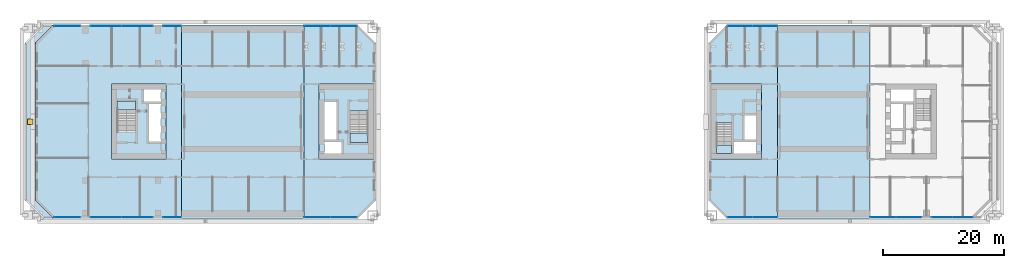
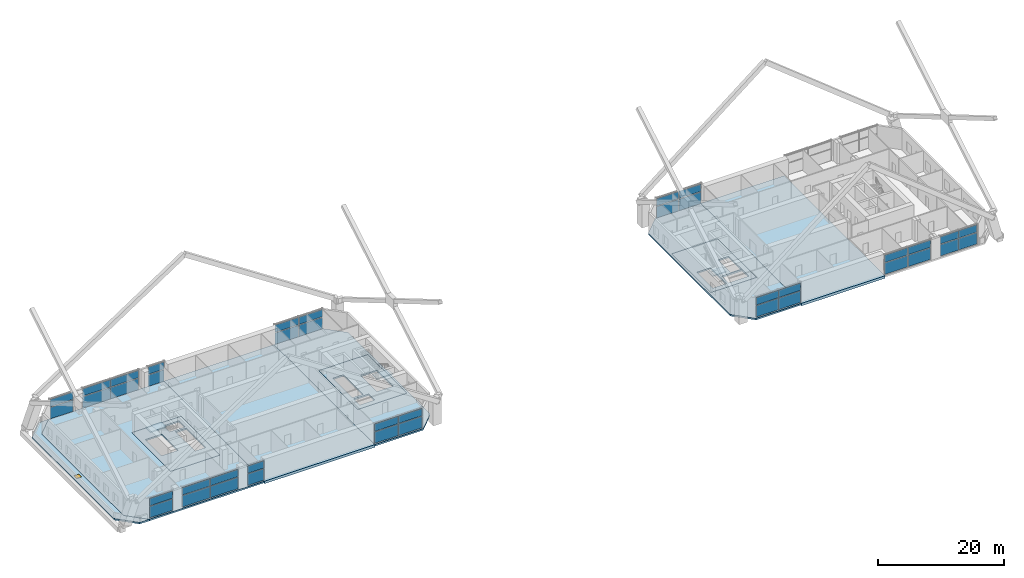
# One storey, part 15 of 25: 40 plates, 12 slabs, 1 window, 1 opening, 15 elements without a shape of their own.
"""IFC4 building model written with IfcOpenShell, lengths in metres."""

from ifc_helpers import new_model, si_unit, direction, frame, origin, origin_2d, place, context, subcontext, project, spatial, polyline, rectangle, outline, extrude, material, layer, layer_set, type_object, element, fill, aggregate, save


model = new_model("IFC4")

# Units and contexts
model_context = context("Model", 3, precision=1e-05, world=origin(), true_north=direction((0.0, 1.0)))
body_context = subcontext(model_context, "Body", "Model", "MODEL_VIEW")
ifc_project = project(units=[si_unit("LENGTHUNIT", "METRE"), si_unit("AREAUNIT", "SQUARE_METRE"), si_unit("VOLUMEUNIT", "CUBIC_METRE"), si_unit("PLANEANGLEUNIT", "RADIAN"), si_unit("MASSUNIT", "GRAM", prefix="KILO")], contexts=[model_context])

# Site, building, storey
site_placement = place(None, origin())
site = spatial("IfcSite", under=ifc_project, at=site_placement, CompositionType="ELEMENT")
building_placement = place(site_placement, origin())
building = spatial("IfcBuilding", under=site, at=building_placement, Name="Tuart Gate Housing", CompositionType="ELEMENT")
storey_placement = place(building_placement, frame((0.0, 0.0, 14.699951171875)))
storey = spatial("IfcBuildingStorey", under=building, at=storey_placement, Name="L03", CompositionType="ELEMENT", Elevation=14.699951171875)

# Slabs
ifc_material_1 = material(Name="Concrete C40", Category="concrete")
ifc_layer_1 = layer(ifc_material_1, 0.300048828125)
ifc_layer_set_1 = layer_set([ifc_layer_1], Name="Core floor slab 300")
slab_type_1 = type_object("IfcSlabType", Name="Core floor slab 300", PredefinedType="FLOOR", material=ifc_layer_set_1)
slab_1_placement = place(storey_placement, frame((0.0, 0.0, -0.300048828125)))
element("IfcSlab", 1, at=slab_1_placement, inside=storey, type_object=slab_type_1, Name="Core floor AG", PredefinedType="FLOOR", context=body_context, shape_type="SweptSolid", body=[
    extrude(outline(polyline([(66.639892578125, 63.800048828125), (75.639892578125, 63.800048828125), (75.639892578125, 76.199951171875), (66.639892578125, 76.199951171875), (66.639892578125, 63.800048828125)]), holes=[polyline([(67.5400390625, 64.699951171875), (70.31005859375, 64.699951171875), (70.31005859375, 66.64990234375), (67.5400390625, 66.64990234375), (67.5400390625, 64.699951171875)]), polyline([(67.5400390625, 67.050048828125), (69.489990234375, 67.050048828125), (69.489990234375, 73.25), (67.5400390625, 73.25), (67.5400390625, 67.050048828125)]), polyline([(71.739990234375, 66.550048828125), (74.739990234375, 66.550048828125), (74.739990234375, 71.72998046875), (71.739990234375, 71.72998046875), (71.739990234375, 66.550048828125)])]), origin(), (0.0, 0.0, 1.0), 0.300048828125),
])
slab_2_placement = place(storey_placement, frame((0.0, 0.0, -0.300048828125)))
element("IfcSlab", 2, at=slab_2_placement, inside=storey, type_object=slab_type_1, Name="Core floor AK", PredefinedType="FLOOR", context=body_context, shape_type="SweptSolid", body=[
    extrude(outline(polyline([(32.360107421875, 63.800048828125), (41.360107421875, 63.800048828125), (41.360107421875, 76.199951171875), (32.360107421875, 76.199951171875), (32.360107421875, 63.800048828125)]), holes=[polyline([(40.4599609375, 75.300048828125), (37.68994140625, 75.300048828125), (37.68994140625, 73.35009765625), (40.4599609375, 73.35009765625), (40.4599609375, 75.300048828125)]), polyline([(40.4599609375, 72.949951171875), (38.510009765625, 72.949951171875), (38.510009765625, 66.75), (40.4599609375, 66.75), (40.4599609375, 72.949951171875)]), polyline([(36.260009765625, 73.449951171875), (33.260009765625, 73.449951171875), (33.260009765625, 68.27001953125), (36.260009765625, 68.27001953125), (36.260009765625, 73.449951171875)])]), origin(), (0.0, 0.0, 1.0), 0.300048828125),
])
slab_3_placement = place(storey_placement, frame((0.0, 0.0, -0.300048828125)))
element("IfcSlab", 3, at=slab_3_placement, inside=storey, type_object=slab_type_1, Name="Core floor BG", PredefinedType="FLOOR", context=body_context, shape_type="SweptSolid", body=[
    extrude(outline(polyline([(131.360107421875, 63.800048828125), (139.760009765625, 63.800048828125), (139.760009765625, 76.199951171875), (131.360107421875, 76.199951171875), (131.360107421875, 63.800048828125)]), holes=[polyline([(138.860107421875, 66.85009765625), (135.159912109375, 66.85009765625), (135.159912109375, 64.699951171875), (138.860107421875, 64.699951171875), (138.860107421875, 66.85009765625)]), polyline([(138.860107421875, 71.050048828125), (136.909912109375, 71.050048828125), (136.909912109375, 67.050048828125), (138.860107421875, 67.050048828125), (138.860107421875, 71.050048828125)]), polyline([(134.760009765625, 69.780029296875), (132.260009765625, 69.780029296875), (132.260009765625, 64.699951171875), (134.760009765625, 64.699951171875), (134.760009765625, 69.780029296875)])]), origin(), (0.0, 0.0, 1.0), 0.300048828125),
])
ifc_material_2 = material(Name="Concrete C40", Category="concrete")
ifc_layer_2 = layer(ifc_material_2, 0.300048828125)
ifc_layer_set_2 = layer_set([ifc_layer_2], Name="Flat plate 300")
slab_type_2 = type_object("IfcSlabType", Name="Flat plate 300", PredefinedType="FLOOR", material=ifc_layer_set_2)
slab_4_placement = place(storey_placement, frame((0.0, 0.0, -0.300048828125)))
element("IfcSlab", 4, at=slab_4_placement, inside=storey, type_object=slab_type_2, Name="Floor slab A west of the arch L03", PredefinedType="FLOOR", context=body_context, shape_type="SweptSolid", body=[
    extrude(outline(polyline([(43.89990234375, 86.0), (22.75, 86.0), (19.75, 83.0), (19.75, 57.0), (22.75, 54.0), (43.89990234375, 54.0), (43.89990234375, 86.0)]), holes=[polyline([(32.360107421875, 76.199951171875), (41.360107421875, 76.199951171875), (41.360107421875, 63.800048828125), (32.360107421875, 63.800048828125), (32.360107421875, 76.199951171875)])]), origin(), (0.0, 0.0, 1.0), 0.300048828125),
])
slab_5_placement = place(storey_placement, frame((0.0, 0.0, -0.300048828125)))
element("IfcSlab", 5, at=slab_5_placement, inside=storey, type_object=slab_type_2, Name="Floor slab A east of the arch L03", PredefinedType="FLOOR", context=body_context, shape_type="SweptSolid", body=[
    extrude(outline(polyline([(73.0, 86.0), (64.10009765625, 86.0), (64.10009765625, 54.0), (73.0, 54.0), (76.0, 57.0), (76.0, 83.0), (73.0, 86.0)]), holes=[polyline([(66.639892578125, 63.800048828125), (66.639892578125, 76.199951171875), (75.639892578125, 76.199951171875), (75.639892578125, 63.800048828125), (66.639892578125, 63.800048828125)])]), origin(), (0.0, 0.0, 1.0), 0.300048828125),
])
slab_6_placement = place(storey_placement, frame((0.0, 0.0, -0.300048828125)))
element("IfcSlab", 6, at=slab_6_placement, inside=storey, type_object=slab_type_2, Name="Floor slab B west of the arch L03", PredefinedType="FLOOR", context=body_context, shape_type="SweptSolid", body=[
    extrude(outline(polyline([(142.35009765625, 86.0), (134.0, 86.0), (131.0, 83.0), (131.0, 57.0), (134.0, 54.0), (142.35009765625, 54.0), (142.35009765625, 86.0)]), holes=[polyline([(131.360107421875, 63.800048828125), (131.360107421875, 76.199951171875), (139.760009765625, 76.199951171875), (139.760009765625, 63.800048828125), (131.360107421875, 63.800048828125)])]), origin(), (0.0, 0.0, 1.0), 0.300048828125),
])

# Curtain wall, plates
ifc_material_3 = material(Name="Aluminium and clear glass", Category="aluminium")
curtain_wall_type = type_object("IfcCurtainWallType", Name="Community floor glazing", PredefinedType="USERDEFINED", material=ifc_material_3)
curtain_wall_1_placement = place(storey_placement, origin())
curtain_wall_1 = element("IfcCurtainWall", 7, at=curtain_wall_1_placement, inside=storey, type_object=curtain_wall_type, Name="Community floor glazing A-S L03", ObjectType="COMMUNITY FLOOR GLAZING", PredefinedType="USERDEFINED")
ifc_material_4 = material(Name="Clear glass", Category="glass")
ifc_layer_3 = layer(ifc_material_4, 0.028076171875)
ifc_layer_set_3 = layer_set([ifc_layer_3], Name="Glazed panel 28")
plate_type = type_object("IfcPlateType", Name="Glazed panel 28", PredefinedType="CURTAIN_PANEL", material=ifc_layer_set_3)
plate_1_placement = place(storey_placement, frame((25.01220703125, 54.179931640625, 0.1201171875), z_axis=(0.0, 0.0, 1.0), x_axis=(1.0, 0.0, 0.0)))
plate_1 = element("IfcPlate", 8, at=plate_1_placement, type_object=plate_type, Name="CW3 panel 1.1", PredefinedType="CURTAIN_PANEL", context=body_context, shape_type="SweptSolid", body=[
    extrude(rectangle(XDim=4.25537109375, YDim=0.028076171875, at=origin_2d()), origin(), (0.0, 0.0, 1.0), 2.219970703125),
])
plate_2_placement = place(storey_placement, frame((25.01220703125, 54.179931640625, 2.460205078125), z_axis=(0.0, 0.0, 1.0), x_axis=(1.0, 0.0, 0.0)))
plate_2 = element("IfcPlate", 9, at=plate_2_placement, type_object=plate_type, Name="CW3 panel 1.2", PredefinedType="CURTAIN_PANEL", context=body_context, shape_type="SweptSolid", body=[
    extrude(rectangle(XDim=4.25537109375, YDim=0.028076171875, at=origin_2d()), origin(), (0.0, 0.0, 1.0), 1.419921875),
])
aggregate(curtain_wall_1, [plate_1, plate_2])

curtain_wall_2_placement = place(storey_placement, origin())
curtain_wall_2 = element("IfcCurtainWall", 10, at=curtain_wall_2_placement, inside=storey, type_object=curtain_wall_type, Name="Community floor glazing A-S L03", ObjectType="COMMUNITY FLOOR GLAZING", PredefinedType="USERDEFINED")
plate_3_placement = place(storey_placement, frame((31.4150390625, 54.179931640625, 0.1201171875), z_axis=(0.0, 0.0, 1.0), x_axis=(1.0, 0.0, 0.0)))
plate_3 = element("IfcPlate", 11, at=plate_3_placement, type_object=plate_type, Name="CW3 panel 1.1", PredefinedType="CURTAIN_PANEL", context=body_context, shape_type="SweptSolid", body=[
    extrude(rectangle(XDim=5.110107421875, YDim=0.028076171875, at=origin_2d()), origin(), (0.0, 0.0, 1.0), 2.219970703125),
])
plate_4_placement = place(storey_placement, frame((31.4150390625, 54.179931640625, 2.460205078125), z_axis=(0.0, 0.0, 1.0), x_axis=(1.0, 0.0, 0.0)))
plate_4 = element("IfcPlate", 12, at=plate_4_placement, type_object=plate_type, Name="CW3 panel 1.2", PredefinedType="CURTAIN_PANEL", context=body_context, shape_type="SweptSolid", body=[
    extrude(rectangle(XDim=5.110107421875, YDim=0.028076171875, at=origin_2d()), origin(), (0.0, 0.0, 1.0), 1.419921875),
])
plate_5_placement = place(storey_placement, frame((36.5849609375, 54.179931640625, 0.1201171875), z_axis=(0.0, 0.0, 1.0), x_axis=(1.0, 0.0, 0.0)))
plate_5 = element("IfcPlate", 13, at=plate_5_placement, type_object=plate_type, Name="CW3 panel 2.1", PredefinedType="CURTAIN_PANEL", context=body_context, shape_type="SweptSolid", body=[
    extrude(rectangle(XDim=5.110107421875, YDim=0.028076171875, at=origin_2d()), origin(), (0.0, 0.0, 1.0), 2.219970703125),
])
plate_6_placement = place(storey_placement, frame((36.5849609375, 54.179931640625, 2.460205078125), z_axis=(0.0, 0.0, 1.0), x_axis=(1.0, 0.0, 0.0)))
plate_6 = element("IfcPlate", 14, at=plate_6_placement, type_object=plate_type, Name="CW3 panel 2.2", PredefinedType="CURTAIN_PANEL", context=body_context, shape_type="SweptSolid", body=[
    extrude(rectangle(XDim=5.110107421875, YDim=0.028076171875, at=origin_2d()), origin(), (0.0, 0.0, 1.0), 1.419921875),
])
aggregate(curtain_wall_2, [plate_3, plate_4, plate_5, plate_6])

curtain_wall_3_placement = place(storey_placement, origin())
curtain_wall_3 = element("IfcCurtainWall", 15, at=curtain_wall_3_placement, inside=storey, type_object=curtain_wall_type, Name="Community floor glazing A-S L03", ObjectType="COMMUNITY FLOOR GLAZING", PredefinedType="USERDEFINED")
plate_7_placement = place(storey_placement, frame((42.35009765625, 54.179931640625, 0.1201171875), z_axis=(0.0, 0.0, 1.0), x_axis=(1.0, 0.0, 0.0)))
plate_7 = element("IfcPlate", 16, at=plate_7_placement, type_object=plate_type, Name="CW3 panel 1.1", PredefinedType="CURTAIN_PANEL", context=body_context, shape_type="SweptSolid", body=[
    extrude(rectangle(XDim=2.97998046875, YDim=0.028076171875, at=origin_2d()), origin(), (0.0, 0.0, 1.0), 2.219970703125),
])
plate_8_placement = place(storey_placement, frame((42.35009765625, 54.179931640625, 2.460205078125), z_axis=(0.0, 0.0, 1.0), x_axis=(1.0, 0.0, 0.0)))
plate_8 = element("IfcPlate", 17, at=plate_8_placement, type_object=plate_type, Name="CW3 panel 1.2", PredefinedType="CURTAIN_PANEL", context=body_context, shape_type="SweptSolid", body=[
    extrude(rectangle(XDim=2.97998046875, YDim=0.028076171875, at=origin_2d()), origin(), (0.0, 0.0, 1.0), 1.419921875),
])
aggregate(curtain_wall_3, [plate_7, plate_8])

curtain_wall_4_placement = place(storey_placement, origin())
curtain_wall_4 = element("IfcCurtainWall", 18, at=curtain_wall_4_placement, inside=storey, type_object=curtain_wall_type, Name="Community floor glazing A-S L03", ObjectType="COMMUNITY FLOOR GLAZING", PredefinedType="USERDEFINED")
plate_9_placement = place(storey_placement, frame((66.3212890625, 54.179931640625, 0.1201171875), z_axis=(0.0, 0.0, 1.0), x_axis=(1.0, 0.0, 0.0)))
plate_9 = element("IfcPlate", 19, at=plate_9_placement, type_object=plate_type, Name="CW3 panel 1.1", PredefinedType="CURTAIN_PANEL", context=body_context, shape_type="SweptSolid", body=[
    extrude(rectangle(XDim=4.32275390625, YDim=0.028076171875, at=origin_2d()), origin(), (0.0, 0.0, 1.0), 2.219970703125),
])
plate_10_placement = place(storey_placement, frame((66.3212890625, 54.179931640625, 2.460205078125), z_axis=(0.0, 0.0, 1.0), x_axis=(1.0, 0.0, 0.0)))
plate_10 = element("IfcPlate", 20, at=plate_10_placement, type_object=plate_type, Name="CW3 panel 1.2", PredefinedType="CURTAIN_PANEL", context=body_context, shape_type="SweptSolid", body=[
    extrude(rectangle(XDim=4.32275390625, YDim=0.028076171875, at=origin_2d()), origin(), (0.0, 0.0, 1.0), 1.419921875),
])
plate_11_placement = place(storey_placement, frame((70.7041015625, 54.179931640625, 0.1201171875), z_axis=(0.0, 0.0, 1.0), x_axis=(1.0, 0.0, 0.0)))
plate_11 = element("IfcPlate", 21, at=plate_11_placement, type_object=plate_type, Name="CW3 panel 2.1", PredefinedType="CURTAIN_PANEL", context=body_context, shape_type="SweptSolid", body=[
    extrude(rectangle(XDim=4.32275390625, YDim=0.028076171875, at=origin_2d()), origin(), (0.0, 0.0, 1.0), 2.219970703125),
])
plate_12_placement = place(storey_placement, frame((70.7041015625, 54.179931640625, 2.460205078125), z_axis=(0.0, 0.0, 1.0), x_axis=(1.0, 0.0, 0.0)))
plate_12 = element("IfcPlate", 22, at=plate_12_placement, type_object=plate_type, Name="CW3 panel 2.2", PredefinedType="CURTAIN_PANEL", context=body_context, shape_type="SweptSolid", body=[
    extrude(rectangle(XDim=4.32275390625, YDim=0.028076171875, at=origin_2d()), origin(), (0.0, 0.0, 1.0), 1.419921875),
])
aggregate(curtain_wall_4, [plate_9, plate_10, plate_11, plate_12])

curtain_wall_5_placement = place(storey_placement, origin())
curtain_wall_5 = element("IfcCurtainWall", 23, at=curtain_wall_5_placement, inside=storey, type_object=curtain_wall_type, Name="Community floor glazing A-N L03", ObjectType="COMMUNITY FLOOR GLAZING", PredefinedType="USERDEFINED")
plate_13_placement = place(storey_placement, frame((70.7041015625, 85.820068359375, 0.1201171875), z_axis=(0.0, 0.0, 1.0), x_axis=(-1.0, 0.0, 0.0)))
plate_13 = element("IfcPlate", 24, at=plate_13_placement, type_object=plate_type, Name="CW3 panel 1.1", PredefinedType="CURTAIN_PANEL", context=body_context, shape_type="SweptSolid", body=[
    extrude(rectangle(XDim=4.32275390625, YDim=0.028076171875, at=origin_2d()), origin(), (0.0, 0.0, 1.0), 2.219970703125),
])
plate_14_placement = place(storey_placement, frame((70.7041015625, 85.820068359375, 2.460205078125), z_axis=(0.0, 0.0, 1.0), x_axis=(-1.0, 0.0, 0.0)))
plate_14 = element("IfcPlate", 25, at=plate_14_placement, type_object=plate_type, Name="CW3 panel 1.2", PredefinedType="CURTAIN_PANEL", context=body_context, shape_type="SweptSolid", body=[
    extrude(rectangle(XDim=4.32275390625, YDim=0.028076171875, at=origin_2d()), origin(), (0.0, 0.0, 1.0), 1.419921875),
])
plate_15_placement = place(storey_placement, frame((66.3212890625, 85.820068359375, 0.1201171875), z_axis=(0.0, 0.0, 1.0), x_axis=(-1.0, 0.0, 0.0)))
plate_15 = element("IfcPlate", 26, at=plate_15_placement, type_object=plate_type, Name="CW3 panel 2.1", PredefinedType="CURTAIN_PANEL", context=body_context, shape_type="SweptSolid", body=[
    extrude(rectangle(XDim=4.32275390625, YDim=0.028076171875, at=origin_2d()), origin(), (0.0, 0.0, 1.0), 2.219970703125),
])
plate_16_placement = place(storey_placement, frame((66.3212890625, 85.820068359375, 2.460205078125), z_axis=(0.0, 0.0, 1.0), x_axis=(-1.0, 0.0, 0.0)))
plate_16 = element("IfcPlate", 27, at=plate_16_placement, type_object=plate_type, Name="CW3 panel 2.2", PredefinedType="CURTAIN_PANEL", context=body_context, shape_type="SweptSolid", body=[
    extrude(rectangle(XDim=4.32275390625, YDim=0.028076171875, at=origin_2d()), origin(), (0.0, 0.0, 1.0), 1.419921875),
])
aggregate(curtain_wall_5, [plate_13, plate_14, plate_15, plate_16])

curtain_wall_6_placement = place(storey_placement, origin())
curtain_wall_6 = element("IfcCurtainWall", 28, at=curtain_wall_6_placement, inside=storey, type_object=curtain_wall_type, Name="Community floor glazing A-N L03", ObjectType="COMMUNITY FLOOR GLAZING", PredefinedType="USERDEFINED")
plate_17_placement = place(storey_placement, frame((42.35009765625, 85.820068359375, 0.1201171875), z_axis=(0.0, 0.0, 1.0), x_axis=(-1.0, 0.0, 0.0)))
plate_17 = element("IfcPlate", 29, at=plate_17_placement, type_object=plate_type, Name="CW3 panel 1.1", PredefinedType="CURTAIN_PANEL", context=body_context, shape_type="SweptSolid", body=[
    extrude(rectangle(XDim=2.97998046875, YDim=0.028076171875, at=origin_2d()), origin(), (0.0, 0.0, 1.0), 2.219970703125),
])
plate_18_placement = place(storey_placement, frame((42.35009765625, 85.820068359375, 2.460205078125), z_axis=(0.0, 0.0, 1.0), x_axis=(-1.0, 0.0, 0.0)))
plate_18 = element("IfcPlate", 30, at=plate_18_placement, type_object=plate_type, Name="CW3 panel 1.2", PredefinedType="CURTAIN_PANEL", context=body_context, shape_type="SweptSolid", body=[
    extrude(rectangle(XDim=2.97998046875, YDim=0.028076171875, at=origin_2d()), origin(), (0.0, 0.0, 1.0), 1.419921875),
])
aggregate(curtain_wall_6, [plate_17, plate_18])

curtain_wall_7_placement = place(storey_placement, origin())
curtain_wall_7 = element("IfcCurtainWall", 31, at=curtain_wall_7_placement, inside=storey, type_object=curtain_wall_type, Name="Community floor glazing A-N L03", ObjectType="COMMUNITY FLOOR GLAZING", PredefinedType="USERDEFINED")
plate_19_placement = place(storey_placement, frame((36.5849609375, 85.820068359375, 0.1201171875), z_axis=(0.0, 0.0, 1.0), x_axis=(-1.0, 0.0, 0.0)))
plate_19 = element("IfcPlate", 32, at=plate_19_placement, type_object=plate_type, Name="CW3 panel 1.1", PredefinedType="CURTAIN_PANEL", context=body_context, shape_type="SweptSolid", body=[
    extrude(rectangle(XDim=5.110107421875, YDim=0.028076171875, at=origin_2d()), origin(), (0.0, 0.0, 1.0), 2.219970703125),
])
plate_20_placement = place(storey_placement, frame((36.5849609375, 85.820068359375, 2.460205078125), z_axis=(0.0, 0.0, 1.0), x_axis=(-1.0, 0.0, 0.0)))
plate_20 = element("IfcPlate", 33, at=plate_20_placement, type_object=plate_type, Name="CW3 panel 1.2", PredefinedType="CURTAIN_PANEL", context=body_context, shape_type="SweptSolid", body=[
    extrude(rectangle(XDim=5.110107421875, YDim=0.028076171875, at=origin_2d()), origin(), (0.0, 0.0, 1.0), 1.419921875),
])
plate_21_placement = place(storey_placement, frame((31.4150390625, 85.820068359375, 0.1201171875), z_axis=(0.0, 0.0, 1.0), x_axis=(-1.0, 0.0, 0.0)))
plate_21 = element("IfcPlate", 34, at=plate_21_placement, type_object=plate_type, Name="CW3 panel 2.1", PredefinedType="CURTAIN_PANEL", context=body_context, shape_type="SweptSolid", body=[
    extrude(rectangle(XDim=5.110107421875, YDim=0.028076171875, at=origin_2d()), origin(), (0.0, 0.0, 1.0), 2.219970703125),
])
plate_22_placement = place(storey_placement, frame((31.4150390625, 85.820068359375, 2.460205078125), z_axis=(0.0, 0.0, 1.0), x_axis=(-1.0, 0.0, 0.0)))
plate_22 = element("IfcPlate", 35, at=plate_22_placement, type_object=plate_type, Name="CW3 panel 2.2", PredefinedType="CURTAIN_PANEL", context=body_context, shape_type="SweptSolid", body=[
    extrude(rectangle(XDim=5.110107421875, YDim=0.028076171875, at=origin_2d()), origin(), (0.0, 0.0, 1.0), 1.419921875),
])
aggregate(curtain_wall_7, [plate_19, plate_20, plate_21, plate_22])

curtain_wall_8_placement = place(storey_placement, origin())
curtain_wall_8 = element("IfcCurtainWall", 36, at=curtain_wall_8_placement, inside=storey, type_object=curtain_wall_type, Name="Community floor glazing A-N L03", ObjectType="COMMUNITY FLOOR GLAZING", PredefinedType="USERDEFINED")
plate_23_placement = place(storey_placement, frame((25.01220703125, 85.820068359375, 0.1201171875), z_axis=(0.0, 0.0, 1.0), x_axis=(-1.0, 0.0, 0.0)))
plate_23 = element("IfcPlate", 37, at=plate_23_placement, type_object=plate_type, Name="CW3 panel 1.1", PredefinedType="CURTAIN_PANEL", context=body_context, shape_type="SweptSolid", body=[
    extrude(rectangle(XDim=4.255615234375, YDim=0.028076171875, at=origin_2d()), origin(), (0.0, 0.0, 1.0), 2.219970703125),
])
plate_24_placement = place(storey_placement, frame((25.01220703125, 85.820068359375, 2.460205078125), z_axis=(0.0, 0.0, 1.0), x_axis=(-1.0, 0.0, 0.0)))
plate_24 = element("IfcPlate", 38, at=plate_24_placement, type_object=plate_type, Name="CW3 panel 1.2", PredefinedType="CURTAIN_PANEL", context=body_context, shape_type="SweptSolid", body=[
    extrude(rectangle(XDim=4.255615234375, YDim=0.028076171875, at=origin_2d()), origin(), (0.0, 0.0, 1.0), 1.419921875),
])
aggregate(curtain_wall_8, [plate_23, plate_24])

curtain_wall_9_placement = place(storey_placement, origin())
curtain_wall_9 = element("IfcCurtainWall", 39, at=curtain_wall_9_placement, inside=storey, type_object=curtain_wall_type, Name="Community floor glazing B-S L03", ObjectType="COMMUNITY FLOOR GLAZING", PredefinedType="USERDEFINED")
plate_25_placement = place(storey_placement, frame((136.158447265625, 54.179931640625, 0.1201171875), z_axis=(0.0, 0.0, 1.0), x_axis=(1.0, 0.0, 0.0)))
plate_25 = element("IfcPlate", 40, at=plate_25_placement, type_object=plate_type, Name="CW3 panel 1.1", PredefinedType="CURTAIN_PANEL", context=body_context, shape_type="SweptSolid", body=[
    extrude(rectangle(XDim=4.047607421875, YDim=0.028076171875, at=origin_2d()), origin(), (0.0, 0.0, 1.0), 2.219970703125),
])
plate_26_placement = place(storey_placement, frame((136.158447265625, 54.179931640625, 2.460205078125), z_axis=(0.0, 0.0, 1.0), x_axis=(1.0, 0.0, 0.0)))
plate_26 = element("IfcPlate", 41, at=plate_26_placement, type_object=plate_type, Name="CW3 panel 1.2", PredefinedType="CURTAIN_PANEL", context=body_context, shape_type="SweptSolid", body=[
    extrude(rectangle(XDim=4.047607421875, YDim=0.028076171875, at=origin_2d()), origin(), (0.0, 0.0, 1.0), 1.419921875),
])
plate_27_placement = place(storey_placement, frame((140.26611328125, 54.179931640625, 0.1201171875), z_axis=(0.0, 0.0, 1.0), x_axis=(1.0, 0.0, 0.0)))
plate_27 = element("IfcPlate", 42, at=plate_27_placement, type_object=plate_type, Name="CW3 panel 2.1", PredefinedType="CURTAIN_PANEL", context=body_context, shape_type="SweptSolid", body=[
    extrude(rectangle(XDim=4.047607421875, YDim=0.028076171875, at=origin_2d()), origin(), (0.0, 0.0, 1.0), 2.219970703125),
])
plate_28_placement = place(storey_placement, frame((140.26611328125, 54.179931640625, 2.460205078125), z_axis=(0.0, 0.0, 1.0), x_axis=(1.0, 0.0, 0.0)))
plate_28 = element("IfcPlate", 43, at=plate_28_placement, type_object=plate_type, Name="CW3 panel 2.2", PredefinedType="CURTAIN_PANEL", context=body_context, shape_type="SweptSolid", body=[
    extrude(rectangle(XDim=4.047607421875, YDim=0.028076171875, at=origin_2d()), origin(), (0.0, 0.0, 1.0), 1.419921875),
])
aggregate(curtain_wall_9, [plate_25, plate_26, plate_27, plate_28])

curtain_wall_10_placement = place(storey_placement, origin())
curtain_wall_10 = element("IfcCurtainWall", 44, at=curtain_wall_10_placement, inside=storey, type_object=curtain_wall_type, Name="Community floor glazing B-S L03", ObjectType="COMMUNITY FLOOR GLAZING", PredefinedType="USERDEFINED")
plate_29_placement = place(storey_placement, frame((159.802490234375, 54.179931640625, 0.1201171875), z_axis=(0.0, 0.0, 1.0), x_axis=(1.0, 0.0, 0.0)))
plate_29 = element("IfcPlate", 45, at=plate_29_placement, type_object=plate_type, Name="CW3 panel 1.1", PredefinedType="CURTAIN_PANEL", context=body_context, shape_type="SweptSolid", body=[
    extrude(rectangle(XDim=4.18505859375, YDim=0.028076171875, at=origin_2d()), origin(), (0.0, 0.0, 1.0), 2.219970703125),
])
plate_30_placement = place(storey_placement, frame((159.802490234375, 54.179931640625, 2.460205078125), z_axis=(0.0, 0.0, 1.0), x_axis=(1.0, 0.0, 0.0)))
plate_30 = element("IfcPlate", 46, at=plate_30_placement, type_object=plate_type, Name="CW3 panel 1.2", PredefinedType="CURTAIN_PANEL", context=body_context, shape_type="SweptSolid", body=[
    extrude(rectangle(XDim=4.18505859375, YDim=0.028076171875, at=origin_2d()), origin(), (0.0, 0.0, 1.0), 1.419921875),
])
plate_31_placement = place(storey_placement, frame((164.047607421875, 54.179931640625, 0.1201171875), z_axis=(0.0, 0.0, 1.0), x_axis=(1.0, 0.0, 0.0)))
plate_31 = element("IfcPlate", 47, at=plate_31_placement, type_object=plate_type, Name="CW3 panel 2.1", PredefinedType="CURTAIN_PANEL", context=body_context, shape_type="SweptSolid", body=[
    extrude(rectangle(XDim=4.18505859375, YDim=0.028076171875, at=origin_2d()), origin(), (0.0, 0.0, 1.0), 2.219970703125),
])
plate_32_placement = place(storey_placement, frame((164.047607421875, 54.179931640625, 2.460205078125), z_axis=(0.0, 0.0, 1.0), x_axis=(1.0, 0.0, 0.0)))
plate_32 = element("IfcPlate", 48, at=plate_32_placement, type_object=plate_type, Name="CW3 panel 2.2", PredefinedType="CURTAIN_PANEL", context=body_context, shape_type="SweptSolid", body=[
    extrude(rectangle(XDim=4.18505859375, YDim=0.028076171875, at=origin_2d()), origin(), (0.0, 0.0, 1.0), 1.419921875),
])
aggregate(curtain_wall_10, [plate_29, plate_30, plate_31, plate_32])

curtain_wall_11_placement = place(storey_placement, origin())
curtain_wall_11 = element("IfcCurtainWall", 49, at=curtain_wall_11_placement, inside=storey, type_object=curtain_wall_type, Name="Community floor glazing B-S L03", ObjectType="COMMUNITY FLOOR GLAZING", PredefinedType="USERDEFINED")
plate_33_placement = place(storey_placement, frame((169.533935546875, 54.179931640625, 0.1201171875), z_axis=(0.0, 0.0, 1.0), x_axis=(1.0, 0.0, 0.0)))
plate_33 = element("IfcPlate", 50, at=plate_33_placement, type_object=plate_type, Name="CW3 panel 1.1", PredefinedType="CURTAIN_PANEL", context=body_context, shape_type="SweptSolid", body=[
    extrude(rectangle(XDim=3.34765625, YDim=0.028076171875, at=origin_2d()), origin(), (0.0, 0.0, 1.0), 2.219970703125),
])
plate_34_placement = place(storey_placement, frame((169.533935546875, 54.179931640625, 2.460205078125), z_axis=(0.0, 0.0, 1.0), x_axis=(1.0, 0.0, 0.0)))
plate_34 = element("IfcPlate", 51, at=plate_34_placement, type_object=plate_type, Name="CW3 panel 1.2", PredefinedType="CURTAIN_PANEL", context=body_context, shape_type="SweptSolid", body=[
    extrude(rectangle(XDim=3.34765625, YDim=0.028076171875, at=origin_2d()), origin(), (0.0, 0.0, 1.0), 1.419921875),
])
plate_35_placement = place(storey_placement, frame((172.941650390625, 54.179931640625, 0.1201171875), z_axis=(0.0, 0.0, 1.0), x_axis=(1.0, 0.0, 0.0)))
plate_35 = element("IfcPlate", 52, at=plate_35_placement, type_object=plate_type, Name="CW3 panel 2.1", PredefinedType="CURTAIN_PANEL", context=body_context, shape_type="SweptSolid", body=[
    extrude(rectangle(XDim=3.34765625, YDim=0.028076171875, at=origin_2d()), origin(), (0.0, 0.0, 1.0), 2.219970703125),
])
plate_36_placement = place(storey_placement, frame((172.941650390625, 54.179931640625, 2.460205078125), z_axis=(0.0, 0.0, 1.0), x_axis=(1.0, 0.0, 0.0)))
plate_36 = element("IfcPlate", 53, at=plate_36_placement, type_object=plate_type, Name="CW3 panel 2.2", PredefinedType="CURTAIN_PANEL", context=body_context, shape_type="SweptSolid", body=[
    extrude(rectangle(XDim=3.34765625, YDim=0.028076171875, at=origin_2d()), origin(), (0.0, 0.0, 1.0), 1.419921875),
])
aggregate(curtain_wall_11, [plate_33, plate_34, plate_35, plate_36])

curtain_wall_12_placement = place(storey_placement, origin())
curtain_wall_12 = element("IfcCurtainWall", 54, at=curtain_wall_12_placement, inside=storey, type_object=curtain_wall_type, Name="Community floor glazing B-N L03", ObjectType="COMMUNITY FLOOR GLAZING", PredefinedType="USERDEFINED")
plate_37_placement = place(storey_placement, frame((140.26611328125, 85.820068359375, 0.1201171875), z_axis=(0.0, 0.0, 1.0), x_axis=(-1.0, 0.0, 0.0)))
plate_37 = element("IfcPlate", 55, at=plate_37_placement, type_object=plate_type, Name="CW3 panel 1.1", PredefinedType="CURTAIN_PANEL", context=body_context, shape_type="SweptSolid", body=[
    extrude(rectangle(XDim=4.0478515625, YDim=0.028076171875, at=origin_2d()), origin(), (0.0, 0.0, 1.0), 2.219970703125),
])
plate_38_placement = place(storey_placement, frame((140.26611328125, 85.820068359375, 2.460205078125), z_axis=(0.0, 0.0, 1.0), x_axis=(-1.0, 0.0, 0.0)))
plate_38 = element("IfcPlate", 56, at=plate_38_placement, type_object=plate_type, Name="CW3 panel 1.2", PredefinedType="CURTAIN_PANEL", context=body_context, shape_type="SweptSolid", body=[
    extrude(rectangle(XDim=4.0478515625, YDim=0.028076171875, at=origin_2d()), origin(), (0.0, 0.0, 1.0), 1.419921875),
])
plate_39_placement = place(storey_placement, frame((136.158447265625, 85.820068359375, 0.1201171875), z_axis=(0.0, 0.0, 1.0), x_axis=(-1.0, 0.0, 0.0)))
plate_39 = element("IfcPlate", 57, at=plate_39_placement, type_object=plate_type, Name="CW3 panel 2.1", PredefinedType="CURTAIN_PANEL", context=body_context, shape_type="SweptSolid", body=[
    extrude(rectangle(XDim=4.0478515625, YDim=0.028076171875, at=origin_2d()), origin(), (0.0, 0.0, 1.0), 2.219970703125),
])
plate_40_placement = place(storey_placement, frame((136.158447265625, 85.820068359375, 2.460205078125), z_axis=(0.0, 0.0, 1.0), x_axis=(-1.0, 0.0, 0.0)))
plate_40 = element("IfcPlate", 58, at=plate_40_placement, type_object=plate_type, Name="CW3 panel 2.2", PredefinedType="CURTAIN_PANEL", context=body_context, shape_type="SweptSolid", body=[
    extrude(rectangle(XDim=4.0478515625, YDim=0.028076171875, at=origin_2d()), origin(), (0.0, 0.0, 1.0), 1.419921875),
])
aggregate(curtain_wall_12, [plate_37, plate_38, plate_39, plate_40])

# Slab, opening, window
ifc_material_5 = material(Name="Concrete C40", Category="concrete")
ifc_layer_4 = layer(ifc_material_5, 0.300048828125)
ifc_layer_set_4 = layer_set([ifc_layer_4], Name="Roof slab 300")
slab_type_3 = type_object("IfcSlabType", Name="Roof slab 300", PredefinedType="ROOF", material=ifc_layer_set_4)
slab_7_placement = place(storey_placement, frame((0.0, 0.0, -0.300048828125)))
slab_7 = element("IfcSlab", 59, at=slab_7_placement, inside=storey, type_object=slab_type_3, Name="Setback roof slab A L03", PredefinedType="ROOF", context=body_context, shape_type="SweptSolid", body=[
    extrude(outline(polyline([(21.0, 54.0), (22.75, 54.0), (19.75, 57.0), (19.75, 83.0), (22.75, 86.0), (21.0, 86.0), (18.0, 83.0), (18.0, 57.0), (21.0, 54.0)])), origin(), (0.0, 0.0, 1.0), 0.300048828125),
])
opening_placement = place(slab_7_placement, frame((18.875, 70.0, 0.0)))
opening = element("IfcOpeningElement", 60, at=opening_placement, cuts=slab_7, Name="Opening RH1", PredefinedType="OPENING", context=body_context, shape_type="SweptSolid", body=[
    extrude(rectangle(XDim=0.89990234375, YDim=0.89990234375, at=origin_2d()), frame((0.0, 0.0, -0.010009765625)), (0.0, 0.0, 1.0), 0.320068359375),
])
ifc_material_6 = material(Name="Aluminium frame with clear glass", Category="aluminium")
window_type = type_object("IfcWindowType", Name="Roof hatch 900 x 900", PartitioningType="SINGLE_PANEL", PredefinedType="SKYLIGHT", material=ifc_material_6)
window_placement = place(opening_placement, frame((0.0, 0.0, 0.25)))
window = element("IfcWindow", 61, at=window_placement, inside=storey, type_object=window_type, Name="Roof hatch", OverallHeight=0.89990234375, OverallWidth=0.89990234375, PartitioningType="SINGLE_PANEL", PredefinedType="SKYLIGHT", context=body_context, shape_type="SweptSolid", body=[
    extrude(rectangle(XDim=0.89990234375, YDim=0.89990234375, at=origin_2d()), origin(), (0.0, 0.0, 1.0), 0.050048828125),
])
fill(opening, window)

# Stair, slab
ifc_material_7 = material(Name="Concrete C40", Category="concrete")
stair_type_1 = type_object("IfcStairType", Name="Core stair 1500", PredefinedType="HALF_TURN_STAIR", material=ifc_material_7)
stair_1_placement = place(storey_placement, origin())
stair_1 = element("IfcStair", 62, at=stair_1_placement, inside=storey, type_object=stair_type_1, Name="Stair SA1", PredefinedType="HALF_TURN_STAIR")
ifc_material_8 = material(Name="Concrete C40", Category="concrete")
ifc_layer_5 = layer(ifc_material_8, 0.199951171875)
ifc_layer_set_5 = layer_set([ifc_layer_5], Name="Stair landing 200")
slab_type_4 = type_object("IfcSlabType", Name="Stair landing 200", PredefinedType="LANDING", material=ifc_layer_set_5)
slab_8_placement = place(storey_placement, frame((0.0, 0.0, 2.199951171875)))
slab_8 = element("IfcSlab", 63, at=slab_8_placement, type_object=slab_type_4, Name="SA1 landing 1", PredefinedType="LANDING", context=body_context, shape_type="SweptSolid", body=[
    extrude(outline(polyline([(71.739990234375, 66.550048828125), (74.739990234375, 66.550048828125), (74.739990234375, 68.110107421875), (71.739990234375, 68.110107421875), (71.739990234375, 66.550048828125)])), origin(), (0.0, 0.0, 1.0), 0.2001953125),
])
aggregate(stair_1, [slab_8])

stair_2_placement = place(storey_placement, origin())
stair_2 = element("IfcStair", 64, at=stair_2_placement, inside=storey, type_object=stair_type_1, Name="Stair SA2", PredefinedType="HALF_TURN_STAIR")
slab_9_placement = place(storey_placement, frame((0.0, 0.0, 2.199951171875)))
slab_9 = element("IfcSlab", 65, at=slab_9_placement, type_object=slab_type_4, Name="SA2 landing 1", PredefinedType="LANDING", context=body_context, shape_type="SweptSolid", body=[
    extrude(outline(polyline([(36.260009765625, 73.449951171875), (33.260009765625, 73.449951171875), (33.260009765625, 71.889892578125), (36.260009765625, 71.889892578125), (36.260009765625, 73.449951171875)])), origin(), (0.0, 0.0, 1.0), 0.2001953125),
])
aggregate(stair_2, [slab_9])

ifc_material_9 = material(Name="Concrete C40", Category="concrete")
stair_type_2 = type_object("IfcStairType", Name="Core stair 1250", PredefinedType="HALF_TURN_STAIR", material=ifc_material_9)
stair_3_placement = place(storey_placement, origin())
stair_3 = element("IfcStair", 66, at=stair_3_placement, inside=storey, type_object=stair_type_2, Name="Stair SB1", PredefinedType="HALF_TURN_STAIR")
slab_10_placement = place(storey_placement, frame((0.0, 0.0, 2.199951171875)))
slab_10 = element("IfcSlab", 67, at=slab_10_placement, type_object=slab_type_4, Name="SB1 landing 1", PredefinedType="LANDING", context=body_context, shape_type="SweptSolid", body=[
    extrude(outline(polyline([(134.760009765625, 66.159912109375), (132.260009765625, 66.159912109375), (132.260009765625, 64.699951171875), (134.760009765625, 64.699951171875), (134.760009765625, 66.159912109375)])), origin(), (0.0, 0.0, 1.0), 0.2001953125),
])
aggregate(stair_3, [slab_10])

# Slabs
ifc_material_10 = material(Name="Concrete C40", Category="concrete")
ifc_layer_6 = layer(ifc_material_10, 0.5)
ifc_layer_set_6 = layer_set([ifc_layer_6], Name="Transfer plate 500")
slab_type_5 = type_object("IfcSlabType", Name="Transfer plate 500", PredefinedType="FLOOR", material=ifc_layer_set_6)
slab_11_placement = place(storey_placement, frame((0.0, 0.0, -0.5)))
element("IfcSlab", 68, at=slab_11_placement, inside=storey, type_object=slab_type_5, Name="Floor slab A over the arch L03", PredefinedType="FLOOR", context=body_context, shape_type="SweptSolid", body=[
    extrude(outline(polyline([(64.10009765625, 86.0), (43.89990234375, 86.0), (43.89990234375, 54.0), (64.10009765625, 54.0), (64.10009765625, 86.0)])), origin(), (0.0, 0.0, 1.0), 0.5),
])
slab_12_placement = place(storey_placement, frame((0.0, 0.0, -0.5)))
element("IfcSlab", 69, at=slab_12_placement, inside=storey, type_object=slab_type_5, Name="Floor slab B over the arch L03", PredefinedType="FLOOR", context=body_context, shape_type="SweptSolid", body=[
    extrude(outline(polyline([(157.64990234375, 86.0), (142.35009765625, 86.0), (142.35009765625, 54.0), (157.64990234375, 54.0), (157.64990234375, 86.0)])), origin(), (0.0, 0.0, 1.0), 0.5),
])

save(model, "model.ifc")
